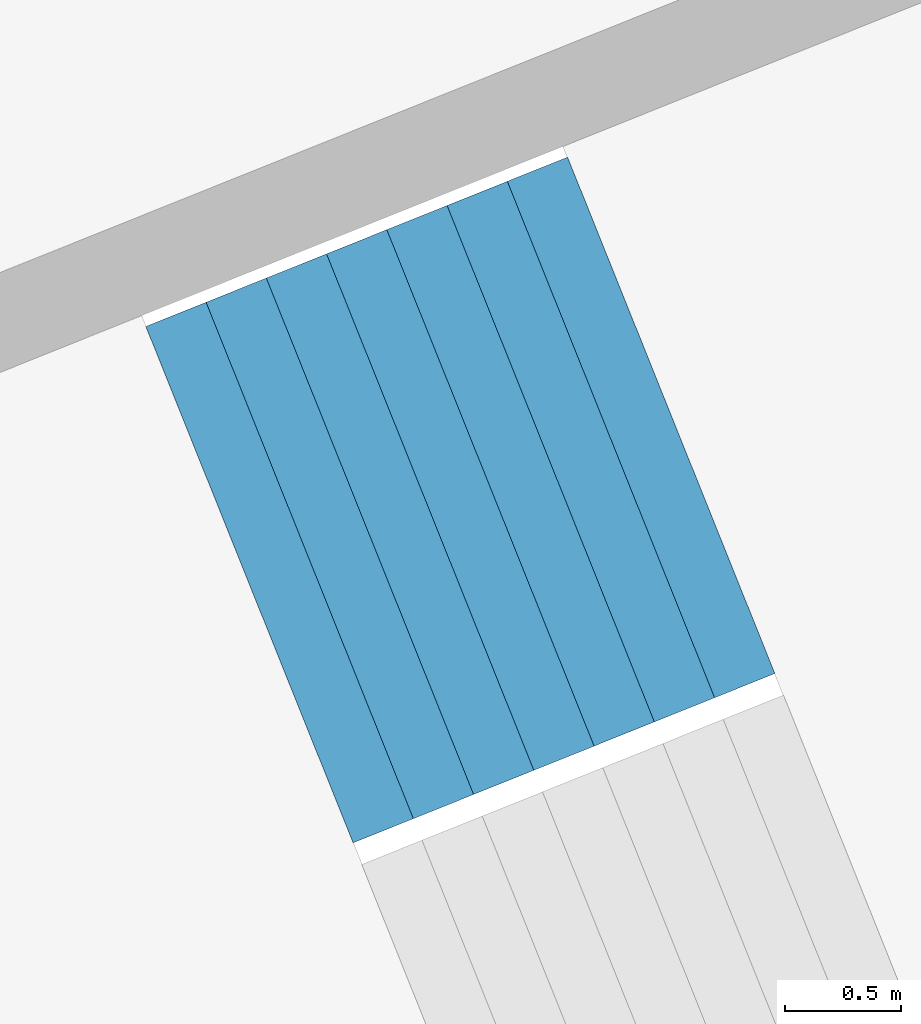
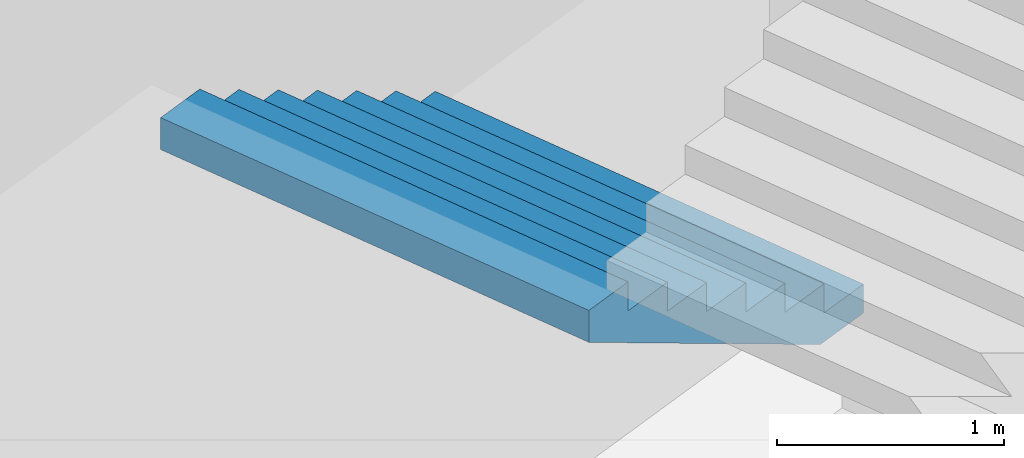
# One storey, part 22 of 73: 1 stair flight, 1 element without a shape of its own.
"""IFC4 building model written with IfcOpenShell, lengths in metres."""

from ifc_helpers import new_model, si_unit, direction, frame, origin, place, context, subcontext, project, spatial, triangles, material, type_object, element, aggregate, save


model = new_model("IFC4")

# Units and contexts
model_context = context("Model", 3, precision=1e-05, world=origin(), true_north=direction((0.0, 1.0)))
body_context = subcontext(model_context, "Body", "Model", "MODEL_VIEW")
ifc_project = project(units=[si_unit("LENGTHUNIT", "METRE"), si_unit("AREAUNIT", "SQUARE_METRE"), si_unit("VOLUMEUNIT", "CUBIC_METRE"), si_unit("PLANEANGLEUNIT", "RADIAN"), si_unit("MASSUNIT", "GRAM", prefix="KILO")], contexts=[model_context])

# Site, building, storey
site_placement = place(None, origin())
site = spatial("IfcSite", under=ifc_project, at=site_placement, CompositionType="ELEMENT")
building_placement = place(site_placement, origin())
building = spatial("IfcBuilding", under=site, at=building_placement, Name="Lantaw Convention Tower", CompositionType="ELEMENT")
storey_placement = place(building_placement, frame((0.0, 0.0, 22.0)))
storey = spatial("IfcBuildingStorey", under=building, at=storey_placement, Name="L03", CompositionType="ELEMENT", Elevation=22.0)

# Stair, stair flight
ifc_material = material(Name="Concrete C35/45", Category="concrete")
stair_type = type_object("IfcStairType", Name="Exit stair 2400 riser 156.25 in 4 flights", PredefinedType="HALF_TURN_STAIR", material=ifc_material)
stair_placement = place(storey_placement, origin())
stair = element("IfcStair", 1, at=stair_placement, inside=storey, type_object=stair_type, Name="Podium exit stair P11 L03", PredefinedType="HALF_TURN_STAIR")
stair_flight_type = type_object("IfcStairFlightType", Name="Stair flight 2400 riser 156.25", PredefinedType="STRAIGHT", material=ifc_material)
stair_flight_placement = place(storey_placement, frame((-30.017578125, -10.703369140625, 2.5), z_axis=(0.0, 0.0, 1.0), x_axis=(-0.928015168305, -0.372542410198, 0.0)))
stair_flight = element("IfcStairFlight", 2, at=stair_flight_placement, type_object=stair_flight_type, Name="P11 flight 3", NumberOfRisers=8, NumberOfTreads=7, PredefinedType="STRAIGHT", RiserHeight=0.15625, TreadLength=0.28, context=body_context, shape_type="Tessellation", body=[
    triangles([(0.0, 1.199951171875, 0.0), (0.0, 1.199951171875, 0.15625), (0.28, 1.199951171875, 0.0), (0.28, 1.199951171875, 0.15625), (0.28, 1.199951171875, 0.3125), (0.3076200632058044, 1.199951171875, 0.0), (0.3076200632058044, 1.199951171875, 0.3125), (0.56, 1.199951171875, 0.14083701830033238), (0.56, 1.199951171875, 0.3125), (0.56, 1.199951171875, 0.46875), (0.8400000000000001, 1.199951171875, 0.29708701830033235), (0.8400000000000001, 1.199951171875, 0.46875), (0.8400000000000001, 1.199951171875, 0.625), (1.12, 1.199951171875, 0.45333701830033235), (1.12, 1.199951171875, 0.625), (1.12, 1.199951171875, 0.78125), (1.4000000000000001, 1.199951171875, 0.6095870183003324), (1.4000000000000001, 1.199951171875, 0.78125), (1.4000000000000001, 1.199951171875, 0.9375), (1.6800000000000002, 1.199951171875, 0.7658370183003324), (1.6800000000000002, 1.199951171875, 0.9375), (1.6800000000000002, 1.199951171875, 1.09375), (1.9600000000000002, 1.199951171875, 0.9220870183003324), (1.9600000000000002, 1.199951171875, 1.09375), (0.0, -1.199951171875, 0.0), (0.0, -1.199951171875, 0.15625), (0.28, -1.199951171875, 0.0), (0.28, -1.199951171875, 0.15625), (0.28, -1.199951171875, 0.3125), (0.3076200632058044, -1.199951171875, 0.0), (0.3076200632058044, -1.199951171875, 0.3125), (0.56, -1.199951171875, 0.14083701830033238), (0.56, -1.199951171875, 0.3125), (0.56, -1.199951171875, 0.46875), (0.8400000000000001, -1.199951171875, 0.29708701830033235), (0.8400000000000001, -1.199951171875, 0.46875), (0.8400000000000001, -1.199951171875, 0.625), (1.12, -1.199951171875, 0.45333701830033235), (1.12, -1.199951171875, 0.625), (1.12, -1.199951171875, 0.78125), (1.4000000000000001, -1.199951171875, 0.6095870183003324), (1.4000000000000001, -1.199951171875, 0.78125), (1.4000000000000001, -1.199951171875, 0.9375), (1.6800000000000002, -1.199951171875, 0.7658370183003324), (1.6800000000000002, -1.199951171875, 0.9375), (1.6800000000000002, -1.199951171875, 1.09375), (1.9600000000000002, -1.199951171875, 0.9220870183003324), (1.9600000000000002, -1.199951171875, 1.09375), (0.0, 0.239990234375, 0.15625), (0.0, 0.239990234375, 0.0), (0.0, 0.1919921875, 0.15625), (0.0, 0.1919921875, 0.0), (0.0, 0.143994140625, 0.15625), (0.0, 0.143994140625, 0.0), (0.0, 0.09599609375, 0.15625), (0.0, 0.09599609375, 0.0), (0.0, 0.047998046875, 0.15625), (0.0, 0.047998046875, 0.0), (0.0, 0.0, 0.15625), (0.0, 0.0, 0.0), (0.0, -0.047998046875, 0.15625), (0.0, -0.047998046875, 0.0), (0.0, -0.09599609375, 0.15625), (0.0, -0.09599609375, 0.0), (0.0, -0.143994140625, 0.15625), (0.0, -0.143994140625, 0.0), (0.0, -0.1919921875, 0.15625), (0.0, -0.1919921875, 0.0), (0.0, -0.239990234375, 0.15625), (0.0, -0.239990234375, 0.0), (0.28, 0.239990234375, 0.3125), (0.28, 0.239990234375, 0.15625), (0.28, 0.1919921875, 0.3125), (0.28, 0.1919921875, 0.15625), (0.28, 0.143994140625, 0.3125), (0.28, 0.143994140625, 0.15625), (0.28, 0.09599609375, 0.3125), (0.28, 0.09599609375, 0.15625), (0.28, 0.047998046875, 0.3125), (0.28, 0.047998046875, 0.15625), (0.28, 0.0, 0.3125), (0.28, 0.0, 0.15625), (0.28, -0.047998046875, 0.3125), (0.28, -0.047998046875, 0.15625), (0.28, -0.09599609375, 0.3125), (0.28, -0.09599609375, 0.15625), (0.28, -0.143994140625, 0.3125), (0.28, -0.143994140625, 0.15625), (0.28, -0.1919921875, 0.3125), (0.28, -0.1919921875, 0.15625), (0.28, -0.239990234375, 0.3125), (0.28, -0.239990234375, 0.15625), (0.56, 0.239990234375, 0.46875), (0.56, 0.239990234375, 0.3125), (0.56, 0.1919921875, 0.46875), (0.56, 0.1919921875, 0.3125), (0.56, 0.143994140625, 0.46875), (0.56, 0.143994140625, 0.3125), (0.56, 0.09599609375, 0.46875), (0.56, 0.09599609375, 0.3125), (0.56, 0.047998046875, 0.46875), (0.56, 0.047998046875, 0.3125), (0.56, 0.0, 0.46875), (0.56, 0.0, 0.3125), (0.56, -0.047998046875, 0.46875), (0.56, -0.047998046875, 0.3125), (0.56, -0.09599609375, 0.46875), (0.56, -0.09599609375, 0.3125), (0.56, -0.143994140625, 0.46875), (0.56, -0.143994140625, 0.3125), (0.56, -0.1919921875, 0.46875), (0.56, -0.1919921875, 0.3125), (0.56, -0.239990234375, 0.46875), (0.56, -0.239990234375, 0.3125), (0.8400000000000001, 0.239990234375, 0.625), (0.8400000000000001, 0.239990234375, 0.46875), (0.8400000000000001, 0.1919921875, 0.625), (0.8400000000000001, 0.1919921875, 0.46875), (0.8400000000000001, 0.143994140625, 0.625), (0.8400000000000001, 0.143994140625, 0.46875), (0.8400000000000001, 0.09599609375, 0.625), (0.8400000000000001, 0.09599609375, 0.46875), (0.8400000000000001, 0.047998046875, 0.625), (0.8400000000000001, 0.047998046875, 0.46875), (0.8400000000000001, 0.0, 0.625), (0.8400000000000001, 0.0, 0.46875), (0.8400000000000001, -0.047998046875, 0.625), (0.8400000000000001, -0.047998046875, 0.46875), (0.8400000000000001, -0.09599609375, 0.625), (0.8400000000000001, -0.09599609375, 0.46875), (0.8400000000000001, -0.143994140625, 0.625), (0.8400000000000001, -0.143994140625, 0.46875), (0.8400000000000001, -0.1919921875, 0.625), (0.8400000000000001, -0.1919921875, 0.46875), (0.8400000000000001, -0.239990234375, 0.625), (0.8400000000000001, -0.239990234375, 0.46875), (1.12, 0.239990234375, 0.78125), (1.12, 0.239990234375, 0.625), (1.12, 0.1919921875, 0.78125), (1.12, 0.1919921875, 0.625), (1.12, 0.143994140625, 0.78125), (1.12, 0.143994140625, 0.625), (1.12, 0.09599609375, 0.78125), (1.12, 0.09599609375, 0.625), (1.12, 0.047998046875, 0.78125), (1.12, 0.047998046875, 0.625), (1.12, 0.0, 0.78125), (1.12, 0.0, 0.625), (1.12, -0.047998046875, 0.78125), (1.12, -0.047998046875, 0.625), (1.12, -0.09599609375, 0.78125), (1.12, -0.09599609375, 0.625), (1.12, -0.143994140625, 0.78125), (1.12, -0.143994140625, 0.625), (1.12, -0.1919921875, 0.78125), (1.12, -0.1919921875, 0.625), (1.12, -0.239990234375, 0.78125), (1.12, -0.239990234375, 0.625), (1.4000000000000001, 0.239990234375, 0.9375), (1.4000000000000001, 0.239990234375, 0.78125), (1.4000000000000001, 0.1919921875, 0.9375), (1.4000000000000001, 0.1919921875, 0.78125), (1.4000000000000001, 0.143994140625, 0.9375), (1.4000000000000001, 0.143994140625, 0.78125), (1.4000000000000001, 0.09599609375, 0.9375), (1.4000000000000001, 0.09599609375, 0.78125), (1.4000000000000001, 0.047998046875, 0.9375), (1.4000000000000001, 0.047998046875, 0.78125), (1.4000000000000001, 0.0, 0.9375), (1.4000000000000001, 0.0, 0.78125), (1.4000000000000001, -0.047998046875, 0.9375), (1.4000000000000001, -0.047998046875, 0.78125), (1.4000000000000001, -0.09599609375, 0.9375), (1.4000000000000001, -0.09599609375, 0.78125), (1.4000000000000001, -0.143994140625, 0.9375), (1.4000000000000001, -0.143994140625, 0.78125), (1.4000000000000001, -0.1919921875, 0.9375), (1.4000000000000001, -0.1919921875, 0.78125), (1.4000000000000001, -0.239990234375, 0.9375), (1.4000000000000001, -0.239990234375, 0.78125), (1.6800000000000002, 0.239990234375, 1.09375), (1.6800000000000002, 0.239990234375, 0.9375), (1.6800000000000002, 0.1919921875, 1.09375), (1.6800000000000002, 0.1919921875, 0.9375), (1.6800000000000002, 0.143994140625, 1.09375), (1.6800000000000002, 0.143994140625, 0.9375), (1.6800000000000002, 0.09599609375, 1.09375), (1.6800000000000002, 0.09599609375, 0.9375), (1.6800000000000002, 0.047998046875, 1.09375), (1.6800000000000002, 0.047998046875, 0.9375), (1.6800000000000002, 0.0, 1.09375), (1.6800000000000002, 0.0, 0.9375), (1.6800000000000002, -0.047998046875, 1.09375), (1.6800000000000002, -0.047998046875, 0.9375), (1.6800000000000002, -0.09599609375, 1.09375), (1.6800000000000002, -0.09599609375, 0.9375), (1.6800000000000002, -0.143994140625, 1.09375), (1.6800000000000002, -0.143994140625, 0.9375), (1.6800000000000002, -0.1919921875, 1.09375), (1.6800000000000002, -0.1919921875, 0.9375), (1.6800000000000002, -0.239990234375, 1.09375), (1.6800000000000002, -0.239990234375, 0.9375), (0.3076200632058044, 0.239990234375, 0.3125), (0.3076200632058044, 0.1919921875, 0.3125), (0.3076200632058044, 0.143994140625, 0.3125), (0.3076200632058044, 0.09599609375, 0.3125), (0.3076200632058044, 0.047998046875, 0.3125), (0.3076200632058044, 0.0, 0.3125), (0.3076200632058044, -0.047998046875, 0.3125), (0.3076200632058044, -0.09599609375, 0.3125), (0.3076200632058044, -0.143994140625, 0.3125), (0.3076200632058044, -0.1919921875, 0.3125), (0.3076200632058044, -0.239990234375, 0.3125), (1.9600000000000002, 0.239990234375, 1.09375), (1.9600000000000002, 0.1919921875, 1.09375), (1.9600000000000002, 0.143994140625, 1.09375), (1.9600000000000002, 0.09599609375, 1.09375), (1.9600000000000002, 0.047998046875, 1.09375), (1.9600000000000002, 0.0, 1.09375), (1.9600000000000002, -0.047998046875, 1.09375), (1.9600000000000002, -0.09599609375, 1.09375), (1.9600000000000002, -0.143994140625, 1.09375), (1.9600000000000002, -0.1919921875, 1.09375), (1.9600000000000002, -0.239990234375, 1.09375), (1.9600000000000002, 0.239990234375, 0.9220870183003324), (1.9600000000000002, 0.1919921875, 0.9220870183003324), (1.9600000000000002, 0.143994140625, 0.9220870183003324), (1.9600000000000002, 0.09599609375, 0.9220870183003324), (1.9600000000000002, 0.047998046875, 0.9220870183003324), (1.9600000000000002, 0.0, 0.9220870183003324), (1.9600000000000002, -0.047998046875, 0.9220870183003324), (1.9600000000000002, -0.09599609375, 0.9220870183003324), (1.9600000000000002, -0.143994140625, 0.9220870183003324), (1.9600000000000002, -0.1919921875, 0.9220870183003324), (1.9600000000000002, -0.239990234375, 0.9220870183003324), (1.6800000000000002, 0.239990234375, 0.7658370183003324), (1.6800000000000002, 0.1919921875, 0.7658370183003324), (1.6800000000000002, 0.143994140625, 0.7658370183003324), (1.6800000000000002, 0.09599609375, 0.7658370183003324), (1.6800000000000002, 0.047998046875, 0.7658370183003324), (1.6800000000000002, 0.0, 0.7658370183003324), (1.6800000000000002, -0.047998046875, 0.7658370183003324), (1.6800000000000002, -0.09599609375, 0.7658370183003324), (1.6800000000000002, -0.143994140625, 0.7658370183003324), (1.6800000000000002, -0.1919921875, 0.7658370183003324), (1.6800000000000002, -0.239990234375, 0.7658370183003324), (1.4000000000000001, 0.239990234375, 0.6095870183003324), (1.4000000000000001, 0.1919921875, 0.6095870183003324), (1.4000000000000001, 0.143994140625, 0.6095870183003324), (1.4000000000000001, 0.09599609375, 0.6095870183003324), (1.4000000000000001, 0.047998046875, 0.6095870183003324), (1.4000000000000001, 0.0, 0.6095870183003324), (1.4000000000000001, -0.047998046875, 0.6095870183003324), (1.4000000000000001, -0.09599609375, 0.6095870183003324), (1.4000000000000001, -0.143994140625, 0.6095870183003324), (1.4000000000000001, -0.1919921875, 0.6095870183003324), (1.4000000000000001, -0.239990234375, 0.6095870183003324), (1.12, 0.239990234375, 0.45333701830033235), (1.12, 0.1919921875, 0.45333701830033235), (1.12, 0.143994140625, 0.45333701830033235), (1.12, 0.09599609375, 0.45333701830033235), (1.12, 0.047998046875, 0.45333701830033235), (1.12, 0.0, 0.45333701830033235), (1.12, -0.047998046875, 0.45333701830033235), (1.12, -0.09599609375, 0.45333701830033235), (1.12, -0.143994140625, 0.45333701830033235), (1.12, -0.1919921875, 0.45333701830033235), (1.12, -0.239990234375, 0.45333701830033235), (0.8400000000000001, 0.239990234375, 0.29708701830033235), (0.8400000000000001, 0.1919921875, 0.29708701830033235), (0.8400000000000001, 0.143994140625, 0.29708701830033235), (0.8400000000000001, 0.09599609375, 0.29708701830033235), (0.8400000000000001, 0.047998046875, 0.29708701830033235), (0.8400000000000001, 0.0, 0.29708701830033235), (0.8400000000000001, -0.047998046875, 0.29708701830033235), (0.8400000000000001, -0.09599609375, 0.29708701830033235), (0.8400000000000001, -0.143994140625, 0.29708701830033235), (0.8400000000000001, -0.1919921875, 0.29708701830033235), (0.8400000000000001, -0.239990234375, 0.29708701830033235), (0.56, 0.239990234375, 0.14083701830033238), (0.56, 0.1919921875, 0.14083701830033238), (0.56, 0.143994140625, 0.14083701830033238), (0.56, 0.09599609375, 0.14083701830033238), (0.56, 0.047998046875, 0.14083701830033238), (0.56, 0.0, 0.14083701830033238), (0.56, -0.047998046875, 0.14083701830033238), (0.56, -0.09599609375, 0.14083701830033238), (0.56, -0.143994140625, 0.14083701830033238), (0.56, -0.1919921875, 0.14083701830033238), (0.56, -0.239990234375, 0.14083701830033238), (0.3076200632058044, 0.239990234375, 0.0), (0.3076200632058044, 0.1919921875, 0.0), (0.3076200632058044, 0.143994140625, 0.0), (0.3076200632058044, 0.09599609375, 0.0), (0.3076200632058044, 0.047998046875, 0.0), (0.3076200632058044, 0.0, 0.0), (0.3076200632058044, -0.047998046875, 0.0), (0.3076200632058044, -0.09599609375, 0.0), (0.3076200632058044, -0.143994140625, 0.0), (0.3076200632058044, -0.1919921875, 0.0), (0.3076200632058044, -0.239990234375, 0.0), (0.28, 0.239990234375, 0.0), (0.28, 0.1919921875, 0.0), (0.28, 0.143994140625, 0.0), (0.28, 0.09599609375, 0.0), (0.28, 0.047998046875, 0.0), (0.28, 0.0, 0.0), (0.28, -0.047998046875, 0.0), (0.28, -0.09599609375, 0.0), (0.28, -0.143994140625, 0.0), (0.28, -0.1919921875, 0.0), (0.28, -0.239990234375, 0.0)], [[1, 4, 3], [1, 2, 4], [3, 4, 6], [4, 7, 6], [4, 5, 7], [6, 9, 8], [6, 7, 9], [8, 9, 11], [9, 12, 11], [9, 10, 12], [11, 12, 14], [12, 15, 14], [12, 13, 15], [14, 15, 17], [15, 18, 17], [15, 16, 18], [17, 18, 20], [18, 21, 20], [18, 19, 21], [20, 21, 23], [21, 24, 23], [21, 22, 24], [25, 27, 28], [25, 28, 26], [27, 30, 28], [28, 30, 31], [28, 31, 29], [30, 32, 33], [30, 33, 31], [32, 35, 33], [33, 35, 36], [33, 36, 34], [35, 38, 36], [36, 38, 39], [36, 39, 37], [38, 41, 39], [39, 41, 42], [39, 42, 40], [41, 44, 42], [42, 44, 45], [42, 45, 43], [44, 47, 45], [45, 47, 48], [45, 48, 46], [1, 49, 2], [1, 50, 49], [50, 51, 49], [50, 52, 51], [52, 53, 51], [52, 54, 53], [54, 55, 53], [54, 56, 55], [56, 57, 55], [56, 58, 57], [58, 59, 57], [58, 60, 59], [60, 61, 59], [60, 62, 61], [62, 63, 61], [62, 64, 63], [64, 65, 63], [64, 66, 65], [66, 67, 65], [66, 68, 67], [68, 69, 67], [68, 70, 69], [70, 26, 69], [70, 25, 26], [4, 71, 5], [4, 72, 71], [72, 73, 71], [72, 74, 73], [74, 75, 73], [74, 76, 75], [76, 77, 75], [76, 78, 77], [78, 79, 77], [78, 80, 79], [80, 81, 79], [80, 82, 81], [82, 83, 81], [82, 84, 83], [84, 85, 83], [84, 86, 85], [86, 87, 85], [86, 88, 87], [88, 89, 87], [88, 90, 89], [90, 91, 89], [90, 92, 91], [92, 29, 91], [92, 28, 29], [9, 93, 10], [9, 94, 93], [94, 95, 93], [94, 96, 95], [96, 97, 95], [96, 98, 97], [98, 99, 97], [98, 100, 99], [100, 101, 99], [100, 102, 101], [102, 103, 101], [102, 104, 103], [104, 105, 103], [104, 106, 105], [106, 107, 105], [106, 108, 107], [108, 109, 107], [108, 110, 109], [110, 111, 109], [110, 112, 111], [112, 113, 111], [112, 114, 113], [114, 34, 113], [114, 33, 34], [12, 115, 13], [12, 116, 115], [116, 117, 115], [116, 118, 117], [118, 119, 117], [118, 120, 119], [120, 121, 119], [120, 122, 121], [122, 123, 121], [122, 124, 123], [124, 125, 123], [124, 126, 125], [126, 127, 125], [126, 128, 127], [128, 129, 127], [128, 130, 129], [130, 131, 129], [130, 132, 131], [132, 133, 131], [132, 134, 133], [134, 135, 133], [134, 136, 135], [136, 37, 135], [136, 36, 37], [15, 137, 16], [15, 138, 137], [138, 139, 137], [138, 140, 139], [140, 141, 139], [140, 142, 141], [142, 143, 141], [142, 144, 143], [144, 145, 143], [144, 146, 145], [146, 147, 145], [146, 148, 147], [148, 149, 147], [148, 150, 149], [150, 151, 149], [150, 152, 151], [152, 153, 151], [152, 154, 153], [154, 155, 153], [154, 156, 155], [156, 157, 155], [156, 158, 157], [158, 40, 157], [158, 39, 40], [18, 159, 19], [18, 160, 159], [160, 161, 159], [160, 162, 161], [162, 163, 161], [162, 164, 163], [164, 165, 163], [164, 166, 165], [166, 167, 165], [166, 168, 167], [168, 169, 167], [168, 170, 169], [170, 171, 169], [170, 172, 171], [172, 173, 171], [172, 174, 173], [174, 175, 173], [174, 176, 175], [176, 177, 175], [176, 178, 177], [178, 179, 177], [178, 180, 179], [180, 43, 179], [180, 42, 43], [21, 181, 22], [21, 182, 181], [182, 183, 181], [182, 184, 183], [184, 185, 183], [184, 186, 185], [186, 187, 185], [186, 188, 187], [188, 189, 187], [188, 190, 189], [190, 191, 189], [190, 192, 191], [192, 193, 191], [192, 194, 193], [194, 195, 193], [194, 196, 195], [196, 197, 195], [196, 198, 197], [198, 199, 197], [198, 200, 199], [200, 201, 199], [200, 202, 201], [202, 46, 201], [202, 45, 46], [2, 72, 4], [2, 49, 72], [49, 74, 72], [49, 51, 74], [51, 76, 74], [51, 53, 76], [53, 78, 76], [53, 55, 78], [55, 80, 78], [55, 57, 80], [57, 82, 80], [57, 59, 82], [59, 84, 82], [59, 61, 84], [61, 86, 84], [61, 63, 86], [63, 88, 86], [63, 65, 88], [65, 90, 88], [65, 67, 90], [67, 92, 90], [67, 69, 92], [69, 28, 92], [69, 26, 28], [5, 203, 7], [5, 71, 203], [71, 204, 203], [71, 73, 204], [73, 205, 204], [73, 75, 205], [75, 206, 205], [75, 77, 206], [77, 207, 206], [77, 79, 207], [79, 208, 207], [79, 81, 208], [81, 209, 208], [81, 83, 209], [83, 210, 209], [83, 85, 210], [85, 211, 210], [85, 87, 211], [87, 212, 211], [87, 89, 212], [89, 213, 212], [89, 91, 213], [91, 31, 213], [91, 29, 31], [7, 94, 9], [7, 203, 94], [203, 96, 94], [203, 204, 96], [204, 98, 96], [204, 205, 98], [205, 100, 98], [205, 206, 100], [206, 102, 100], [206, 207, 102], [207, 104, 102], [207, 208, 104], [208, 106, 104], [208, 209, 106], [209, 108, 106], [209, 210, 108], [210, 110, 108], [210, 211, 110], [211, 112, 110], [211, 212, 112], [212, 114, 112], [212, 213, 114], [213, 33, 114], [213, 31, 33], [10, 116, 12], [10, 93, 116], [93, 118, 116], [93, 95, 118], [95, 120, 118], [95, 97, 120], [97, 122, 120], [97, 99, 122], [99, 124, 122], [99, 101, 124], [101, 126, 124], [101, 103, 126], [103, 128, 126], [103, 105, 128], [105, 130, 128], [105, 107, 130], [107, 132, 130], [107, 109, 132], [109, 134, 132], [109, 111, 134], [111, 136, 134], [111, 113, 136], [113, 36, 136], [113, 34, 36], [13, 138, 15], [13, 115, 138], [115, 140, 138], [115, 117, 140], [117, 142, 140], [117, 119, 142], [119, 144, 142], [119, 121, 144], [121, 146, 144], [121, 123, 146], [123, 148, 146], [123, 125, 148], [125, 150, 148], [125, 127, 150], [127, 152, 150], [127, 129, 152], [129, 154, 152], [129, 131, 154], [131, 156, 154], [131, 133, 156], [133, 158, 156], [133, 135, 158], [135, 39, 158], [135, 37, 39], [16, 160, 18], [16, 137, 160], [137, 162, 160], [137, 139, 162], [139, 164, 162], [139, 141, 164], [141, 166, 164], [141, 143, 166], [143, 168, 166], [143, 145, 168], [145, 170, 168], [145, 147, 170], [147, 172, 170], [147, 149, 172], [149, 174, 172], [149, 151, 174], [151, 176, 174], [151, 153, 176], [153, 178, 176], [153, 155, 178], [155, 180, 178], [155, 157, 180], [157, 42, 180], [157, 40, 42], [19, 182, 21], [19, 159, 182], [159, 184, 182], [159, 161, 184], [161, 186, 184], [161, 163, 186], [163, 188, 186], [163, 165, 188], [165, 190, 188], [165, 167, 190], [167, 192, 190], [167, 169, 192], [169, 194, 192], [169, 171, 194], [171, 196, 194], [171, 173, 196], [173, 198, 196], [173, 175, 198], [175, 200, 198], [175, 177, 200], [177, 202, 200], [177, 179, 202], [179, 45, 202], [179, 43, 45], [22, 214, 24], [22, 181, 214], [181, 215, 214], [181, 183, 215], [183, 216, 215], [183, 185, 216], [185, 217, 216], [185, 187, 217], [187, 218, 217], [187, 189, 218], [189, 219, 218], [189, 191, 219], [191, 220, 219], [191, 193, 220], [193, 221, 220], [193, 195, 221], [195, 222, 221], [195, 197, 222], [197, 223, 222], [197, 199, 223], [199, 224, 223], [199, 201, 224], [201, 48, 224], [201, 46, 48], [24, 225, 23], [24, 214, 225], [214, 226, 225], [214, 215, 226], [215, 227, 226], [215, 216, 227], [216, 228, 227], [216, 217, 228], [217, 229, 228], [217, 218, 229], [218, 230, 229], [218, 219, 230], [219, 231, 230], [219, 220, 231], [220, 232, 231], [220, 221, 232], [221, 233, 232], [221, 222, 233], [222, 234, 233], [222, 223, 234], [223, 235, 234], [223, 224, 235], [224, 47, 235], [224, 48, 47], [23, 236, 20], [23, 225, 236], [225, 237, 236], [225, 226, 237], [226, 238, 237], [226, 227, 238], [227, 239, 238], [227, 228, 239], [228, 240, 239], [228, 229, 240], [229, 241, 240], [229, 230, 241], [230, 242, 241], [230, 231, 242], [231, 243, 242], [231, 232, 243], [232, 244, 243], [232, 233, 244], [233, 245, 244], [233, 234, 245], [234, 246, 245], [234, 235, 246], [235, 44, 246], [235, 47, 44], [20, 247, 17], [20, 236, 247], [236, 248, 247], [236, 237, 248], [237, 249, 248], [237, 238, 249], [238, 250, 249], [238, 239, 250], [239, 251, 250], [239, 240, 251], [240, 252, 251], [240, 241, 252], [241, 253, 252], [241, 242, 253], [242, 254, 253], [242, 243, 254], [243, 255, 254], [243, 244, 255], [244, 256, 255], [244, 245, 256], [245, 257, 256], [245, 246, 257], [246, 41, 257], [246, 44, 41], [17, 258, 14], [17, 247, 258], [247, 259, 258], [247, 248, 259], [248, 260, 259], [248, 249, 260], [249, 261, 260], [249, 250, 261], [250, 262, 261], [250, 251, 262], [251, 263, 262], [251, 252, 263], [252, 264, 263], [252, 253, 264], [253, 265, 264], [253, 254, 265], [254, 266, 265], [254, 255, 266], [255, 267, 266], [255, 256, 267], [256, 268, 267], [256, 257, 268], [257, 38, 268], [257, 41, 38], [14, 269, 11], [14, 258, 269], [258, 270, 269], [258, 259, 270], [259, 271, 270], [259, 260, 271], [260, 272, 271], [260, 261, 272], [261, 273, 272], [261, 262, 273], [262, 274, 273], [262, 263, 274], [263, 275, 274], [263, 264, 275], [264, 276, 275], [264, 265, 276], [265, 277, 276], [265, 266, 277], [266, 278, 277], [266, 267, 278], [267, 279, 278], [267, 268, 279], [268, 35, 279], [268, 38, 35], [11, 280, 8], [11, 269, 280], [269, 281, 280], [269, 270, 281], [270, 282, 281], [270, 271, 282], [271, 283, 282], [271, 272, 283], [272, 284, 283], [272, 273, 284], [273, 285, 284], [273, 274, 285], [274, 286, 285], [274, 275, 286], [275, 287, 286], [275, 276, 287], [276, 288, 287], [276, 277, 288], [277, 289, 288], [277, 278, 289], [278, 290, 289], [278, 279, 290], [279, 32, 290], [279, 35, 32], [8, 291, 6], [8, 280, 291], [280, 292, 291], [280, 281, 292], [281, 293, 292], [281, 282, 293], [282, 294, 293], [282, 283, 294], [283, 295, 294], [283, 284, 295], [284, 296, 295], [284, 285, 296], [285, 297, 296], [285, 286, 297], [286, 298, 297], [286, 287, 298], [287, 299, 298], [287, 288, 299], [288, 300, 299], [288, 289, 300], [289, 301, 300], [289, 290, 301], [290, 30, 301], [290, 32, 30], [6, 302, 3], [6, 291, 302], [291, 303, 302], [291, 292, 303], [292, 304, 303], [292, 293, 304], [293, 305, 304], [293, 294, 305], [294, 306, 305], [294, 295, 306], [295, 307, 306], [295, 296, 307], [296, 308, 307], [296, 297, 308], [297, 309, 308], [297, 298, 309], [298, 310, 309], [298, 299, 310], [299, 311, 310], [299, 300, 311], [300, 312, 311], [300, 301, 312], [301, 27, 312], [301, 30, 27], [3, 50, 1], [3, 302, 50], [302, 52, 50], [302, 303, 52], [303, 54, 52], [303, 304, 54], [304, 56, 54], [304, 305, 56], [305, 58, 56], [305, 306, 58], [306, 60, 58], [306, 307, 60], [307, 62, 60], [307, 308, 62], [308, 64, 62], [308, 309, 64], [309, 66, 64], [309, 310, 66], [310, 68, 66], [310, 311, 68], [311, 70, 68], [311, 312, 70], [312, 25, 70], [312, 27, 25]], closed=True),
])
aggregate(stair, [stair_flight])

save(model, "model.ifc")
